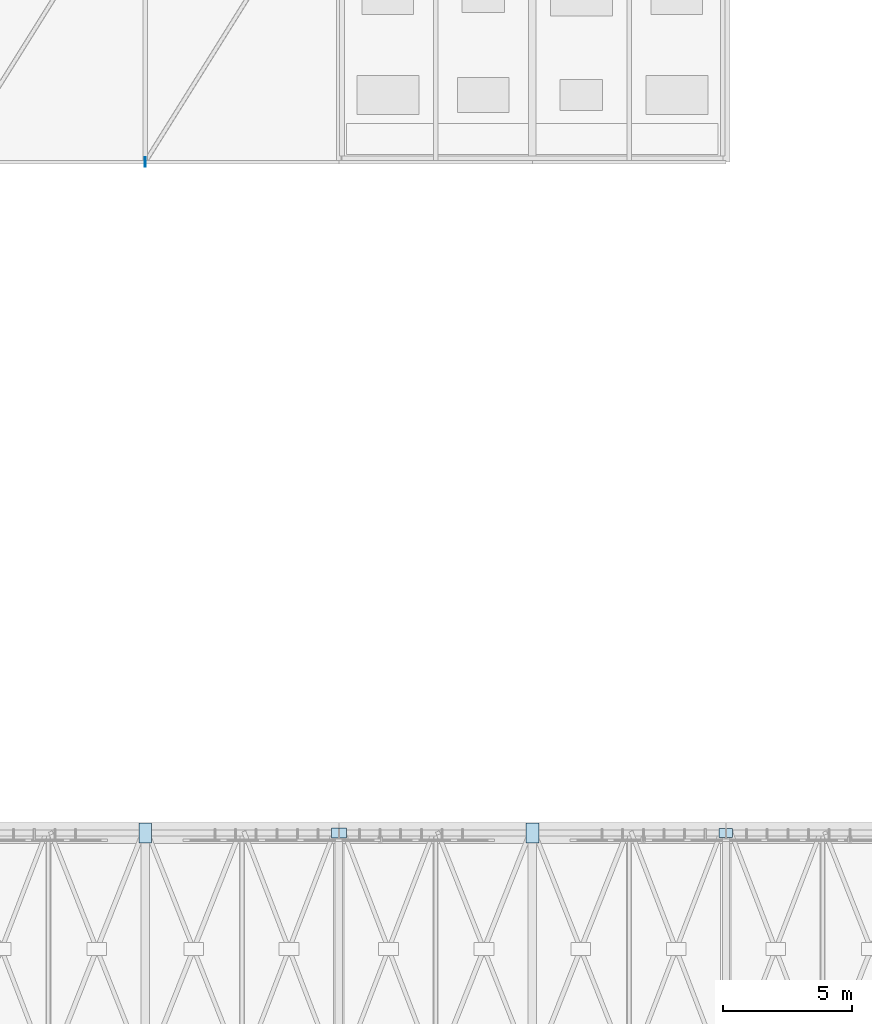
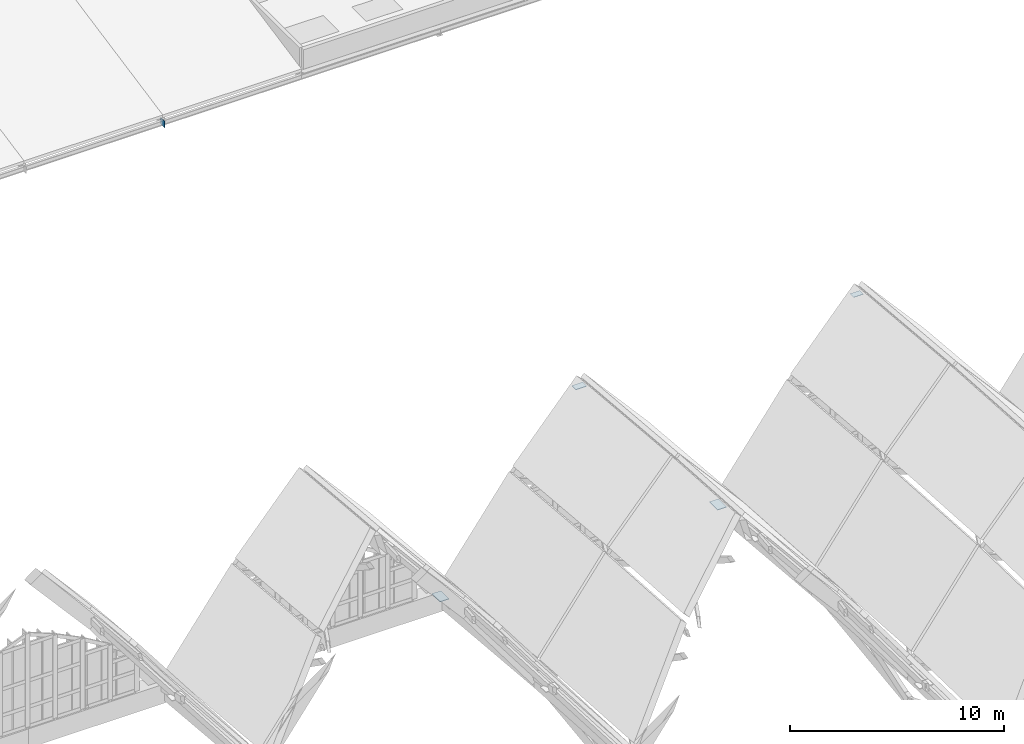
# One storey, part 73 of 93: 5 plates.
"""IFC4 building model written with IfcOpenShell, lengths in metres."""

from ifc_helpers import new_model, si_unit, direction, frame, origin, origin_2d, place, context, subcontext, project, spatial, rectangle, extrude, material, layer, layer_set, type_object, element, save


model = new_model("IFC4")

# Units and contexts
model_context = context("Model", 3, precision=1e-05, world=origin(), true_north=direction((0.0, 1.0)))
body_context = subcontext(model_context, "Body", "Model", "MODEL_VIEW")
ifc_project = project(units=[si_unit("LENGTHUNIT", "METRE"), si_unit("AREAUNIT", "SQUARE_METRE"), si_unit("VOLUMEUNIT", "CUBIC_METRE"), si_unit("PLANEANGLEUNIT", "RADIAN"), si_unit("MASSUNIT", "GRAM", prefix="KILO")], contexts=[model_context])

# Site, building, storey
site_placement = place(None, origin())
site = spatial("IfcSite", under=ifc_project, at=site_placement, CompositionType="ELEMENT")
building_placement = place(site_placement, origin())
building = spatial("IfcBuilding", under=site, at=building_placement, Name="Vourika Railside Aquatics Centre", CompositionType="ELEMENT")
storey_placement = place(building_placement, frame((0.0, 0.0, 21.89990234375)))
storey = spatial("IfcBuildingStorey", under=building, at=storey_placement, Name="Roof", CompositionType="ELEMENT", Elevation=21.89990234375)

# Plates
ifc_material_1 = material(Name="Steel S355J2", Category="steel")
ifc_layer_1 = layer(ifc_material_1, 0.3798828125, Name="PLT-ECAP-22x380x380")
ifc_layer_set_1 = layer_set([ifc_layer_1], Name="Steel S355J2")
plate_type_1 = type_object("IfcPlateType", Name="PLT-ECAP-22x380x380", PredefinedType="USERDEFINED", material=ifc_layer_set_1)
plate_1_placement = place(storey_placement, frame((66.0, 92.0, -0.56982421875), z_axis=(0.0, 0.0, 1.0), x_axis=(1.0, 0.0, 0.0)))
element("IfcPlate", 1, at=plate_1_placement, inside=storey, type_object=plate_type_1, Name="Steel Brace End Knife Plate BP-0379", ObjectType="BASE PLATE", PredefinedType="USERDEFINED", context=body_context, shape_type="SweptSolid", body=[
    extrude(rectangle(XDim=0.02197265625, YDim=0.3798828125, at=origin_2d()), origin(), (0.0, 0.0, 1.0), 0.3798828125),
])
ifc_material_2 = material(Name="Duplex stainless steel EN 1.4462", Category="steel")
ifc_layer_2 = layer(ifc_material_2, 0.02001953125, Name="PLT-RIDGE-520x340x20")
ifc_layer_set_2 = layer_set([ifc_layer_2], Name="Duplex stainless steel EN 1.4462")
plate_type_2 = type_object("IfcPlateType", Name="PLT-RIDGE-520x340x20", PredefinedType="USERDEFINED", material=ifc_layer_set_2)
plate_2_placement = place(storey_placement, frame((88.5, 66.0, -2.309814453125), z_axis=(0.0, 0.0, 1.0), x_axis=(1.0, 0.0, 0.0)))
element("IfcPlate", 2, at=plate_2_placement, inside=storey, type_object=plate_type_2, Name="Stainless Vault Ridge Gusset Plate SN-202", ObjectType="GUSSET PLATE", PredefinedType="USERDEFINED", context=body_context, shape_type="SweptSolid", body=[
    extrude(rectangle(XDim=0.52001953125, YDim=0.340087890625, at=origin_2d()), origin(), (0.0, 0.0, 1.0), 0.02001953125),
])
ifc_layer_3 = layer(ifc_material_2, 0.02490234375, Name="PLT-RIDGE-580x380x25")
ifc_layer_set_3 = layer_set([ifc_layer_3], Name="Duplex stainless steel EN 1.4462")
plate_type_3 = type_object("IfcPlateType", Name="PLT-RIDGE-580x380x25", PredefinedType="USERDEFINED", material=ifc_layer_set_3)
plate_3_placement = place(storey_placement, frame((73.5, 66.0, -2.312255859375), z_axis=(0.0, 0.0, 1.0), x_axis=(1.0, 0.0, 0.0)))
element("IfcPlate", 3, at=plate_3_placement, inside=storey, type_object=plate_type_3, Name="Stainless Vault Ridge Gusset Plate SN-171", ObjectType="GUSSET PLATE", PredefinedType="USERDEFINED", context=body_context, shape_type="SweptSolid", body=[
    extrude(rectangle(XDim=0.580078125, YDim=0.3798828125, at=origin_2d()), origin(), (0.0, 0.0, 1.0), 0.02490234375),
])
ifc_layer_4 = layer(ifc_material_2, 0.028076171875, Name="PLT-VAL-760x500x28")
ifc_layer_set_4 = layer_set([ifc_layer_4], Name="Duplex stainless steel EN 1.4462")
plate_type_4 = type_object("IfcPlateType", Name="PLT-VAL-760x500x28", PredefinedType="USERDEFINED", material=ifc_layer_set_4)
for number, where, z_axis, x_axis, name in (
    (4, (66.0, 66.0, -11.7138671875), (0.0, 0.0, 1.0), (0.0, 1.0, 0.0), "Stainless Valley Truss Gusset SN-077"),
    (5, (81.0, 66.0, -11.7138671875), (0.0, 0.0, 1.0), (0.0, 1.0, 0.0), "Stainless Valley Truss Gusset SN-083"),
):
    element("IfcPlate", number, at=place(storey_placement, frame(where, z_axis=z_axis, x_axis=x_axis)), inside=storey, type_object=plate_type_4, Name=name, ObjectType="GUSSET PLATE", PredefinedType="USERDEFINED", context=body_context, shape_type="SweptSolid", body=[
        extrude(rectangle(XDim=0.760009765625, YDim=0.5, at=origin_2d()), origin(), (0.0, 0.0, 1.0), 0.028076171875),
    ])

save(model, "model.ifc")
